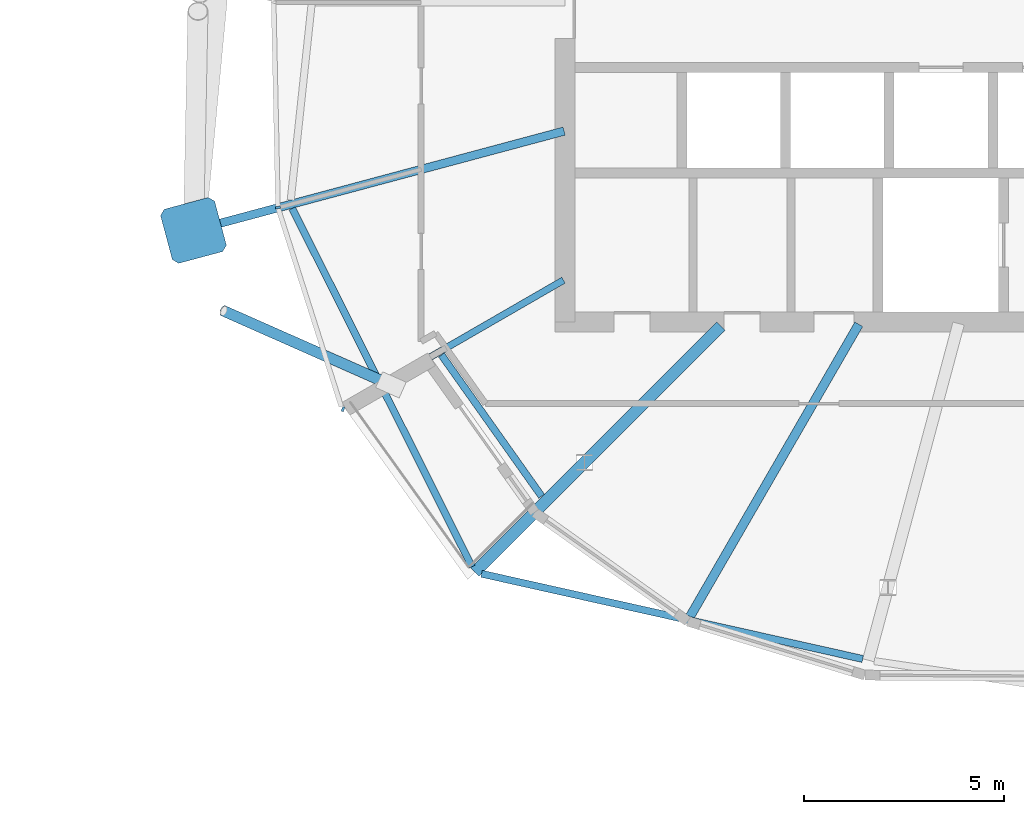
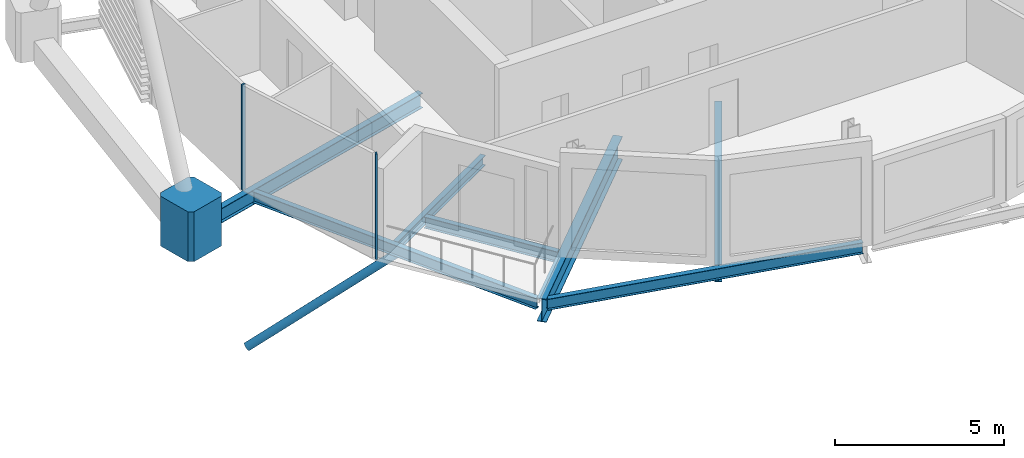
# One storey, part 10 of 32: 7 beams, 4 members, 1 element without a shape of its own.
"""IFC4 building model written with IfcOpenShell, lengths in metres."""

import ifcopenshell
import ifcopenshell.guid

model = None  # the IFC model being written
_history = None  # IfcOwnerHistory: only IFC2X3 demands one
_inside = {}  # id of a spatial element -> (the spatial element, [elements in it])
_under = {}  # id of a project, library or spatial element -> (it, [spatial elements below it])
_declared = {}  # id of a project -> (the project, [libraries it declares])
_typed = {}  # id of a type object -> (the type object, [elements of that type])
_made_of = {}  # id of a material, layer set ... -> (it, [elements and type objects made of it])


def new_model(schema):
    """Start an empty IFC model of exactly this schema.

    Asked for "IFC4X3", IfcOpenShell would pick the latest addendum, in which some entities
    have other attributes; the version numbers below select the first issue.
    IFC2X3 requires an IfcOwnerHistory on every rooted entity: one is made here for all.
    """
    global model, _history
    if schema == "IFC4X3":
        model = ifcopenshell.file(schema_version=(4, 3, 0, 0))
    else:
        model = ifcopenshell.file(schema=schema)
    _inside.clear()
    _under.clear()
    _declared.clear()
    _typed.clear()
    _made_of.clear()
    _history = None
    if model.schema == "IFC2X3":
        org = make("IfcOrganization", Name="unknown")
        user = make(
            "IfcPersonAndOrganization",
            ThePerson=make("IfcPerson", FamilyName="unknown"),
            TheOrganization=org,
        )
        app = make(
            "IfcApplication",
            ApplicationDeveloper=org,
            Version="unknown",
            ApplicationFullName="unknown",
            ApplicationIdentifier="unknown",
        )
        _history = make(
            "IfcOwnerHistory",
            OwningUser=user,
            OwningApplication=app,
            ChangeAction="ADDED",
            CreationDate=0,
        )
    return model


def make(cls, **values):
    """One entity of the class cls with the attributes given. An attribute that is None is left unset."""
    return model.create_entity(
        cls, **{name: value for name, value in values.items() if value is not None}
    )


def rooted(cls, **values):
    """An entity with a GlobalId (a new one), such as an element, a storey or a relation."""
    return make(cls, GlobalId=ifcopenshell.guid.new(), OwnerHistory=_history, **values)


def si_unit(unit_type, name, prefix=None):
    """IfcSIUnit, for example si_unit("LENGTHUNIT", "METRE", prefix="MILLI")."""
    return make("IfcSIUnit", UnitType=unit_type, Prefix=prefix, Name=name)


def assignment(units):
    """IfcUnitAssignment: the units of a project."""
    return None if units is None else make("IfcUnitAssignment", Units=units)


def point(xyz):
    """IfcCartesianPoint."""
    return None if xyz is None else make("IfcCartesianPoint", Coordinates=xyz)


def direction(xyz):
    """IfcDirection."""
    return None if xyz is None else make("IfcDirection", DirectionRatios=xyz)


def frame(location, z_axis=None, x_axis=None):
    """IfcAxis2Placement3D, a coordinate frame: its origin and axes. An axis left out is left unset."""
    return make(
        "IfcAxis2Placement3D",
        Location=point(location),
        Axis=direction(z_axis),
        RefDirection=direction(x_axis),
    )


def frame_2d(location, x_axis=None):
    """IfcAxis2Placement2D, a coordinate frame in the plane: its origin and x axis."""
    return make(
        "IfcAxis2Placement2D", Location=point(location), RefDirection=direction(x_axis)
    )


def origin():
    """The frame at (0, 0, 0) with its axes left unset."""
    return frame((0.0, 0.0, 0.0))


def origin_2d():
    """The frame at (0, 0) in the plane with its x axis left unset."""
    return frame_2d((0.0, 0.0))


def place(relative_to, where):
    """IfcLocalPlacement: puts the frame where relative to a parent placement (None: the world)."""
    return make(
        "IfcLocalPlacement", PlacementRelTo=relative_to, RelativePlacement=where
    )


def context(
    kind, dimensions, precision=None, world=None, true_north=None, identifier=None
):
    """IfcGeometricRepresentationContext, for example the 3D "Model" context."""
    return make(
        "IfcGeometricRepresentationContext",
        ContextIdentifier=identifier,
        ContextType=kind,
        CoordinateSpaceDimension=dimensions,
        Precision=precision,
        WorldCoordinateSystem=world,
        TrueNorth=true_north,
    )


def subcontext(parent, identifier, kind, view, scale=None):
    """IfcGeometricRepresentationSubContext, for example "Body" below "Model"."""
    return make(
        "IfcGeometricRepresentationSubContext",
        ContextIdentifier=identifier,
        ContextType=kind,
        ParentContext=parent,
        TargetScale=scale,
        TargetView=view,
    )


def project(units=None, contexts=None):
    """IfcProject with its units and contexts."""
    return rooted(
        "IfcProject",
        Name="project",
        RepresentationContexts=contexts,
        UnitsInContext=assignment(units),
    )


def spatial(cls, under=None, at=None, **own):
    """A site, building, storey or space (cls), placed at a placement, below another one or the project."""
    s = rooted(cls, ObjectPlacement=at, **own)
    if under is not None:
        _under.setdefault(under.id(), (under, []))[1].append(s)
    return s


def polyline(points):
    """IfcPolyline through the points."""
    return make("IfcPolyline", Points=[point(p) for p in points])


def profile(cls, at=None, kind="AREA", **sizes):
    """A parametric profile (cls). Its sizes go by their IFC names, for example OverallWidth=200.0."""
    return make(cls, ProfileType=kind, Position=at, **sizes)


def rectangle(**sizes):
    """IfcRectangleProfileDef."""
    return profile("IfcRectangleProfileDef", **sizes)


def hollow_circle(**sizes):
    """IfcCircleHollowProfileDef."""
    return profile("IfcCircleHollowProfileDef", **sizes)


def i_section(**sizes):
    """IfcIShapeProfileDef."""
    return profile("IfcIShapeProfileDef", **sizes)


def outline(outer, holes=None, kind="AREA"):
    """IfcArbitraryClosedProfileDef: a profile drawn as a closed curve; with holes, ...WithVoids."""
    if holes is None:
        return make("IfcArbitraryClosedProfileDef", ProfileType=kind, OuterCurve=outer)
    return make(
        "IfcArbitraryProfileDefWithVoids",
        ProfileType=kind,
        OuterCurve=outer,
        InnerCurves=holes,
    )


def extrude(swept, where, along, depth):
    """IfcExtrudedAreaSolid: the profile swept, set in the frame where, extruded along a direction by depth."""
    return make(
        "IfcExtrudedAreaSolid",
        SweptArea=swept,
        Position=where,
        ExtrudedDirection=direction(along),
        Depth=depth,
    )


def clip(a, b, op="DIFFERENCE"):
    """IfcBooleanClippingResult: the solid a cut by the half space b."""
    return make(
        "IfcBooleanClippingResult", Operator=op, FirstOperand=a, SecondOperand=b
    )


def halfspace(plane, agree):
    """IfcHalfSpaceSolid: all space on one side of the plane z = 0 of the frame plane."""
    return make(
        "IfcHalfSpaceSolid",
        BaseSurface=make("IfcPlane", Position=plane),
        AgreementFlag=agree,
    )


def shape(context_of_items, identifier, shape_type, items):
    """IfcShapeRepresentation: the items that make up one representation, for example the "Body"."""
    return make(
        "IfcShapeRepresentation",
        ContextOfItems=context_of_items,
        RepresentationIdentifier=identifier,
        RepresentationType=shape_type,
        Items=items,
    )


def material(Name=None, Category=None):
    """IfcMaterial."""
    return make("IfcMaterial", Name=Name, Category=Category)


def material_profile(
    of_material, cross_section, Name=None, Category=None, Priority=None
):
    """IfcMaterialProfile: a cross section and its material."""
    return make(
        "IfcMaterialProfile",
        Name=Name,
        Material=of_material,
        Profile=cross_section,
        Priority=Priority,
        Category=Category,
    )


def profile_set(profiles, Name=None, composite=None):
    """IfcMaterialProfileSet."""
    return make(
        "IfcMaterialProfileSet",
        Name=Name,
        MaterialProfiles=profiles,
        CompositeProfile=composite,
    )


def made_of(thing, what):
    """Note that an element or type object is made of a material, layer set ...; save() writes the relation."""
    if what is not None:
        _made_of.setdefault(what.id(), (what, []))[1].append(thing)
    return thing


def type_object(cls, material=None, **own):
    """A type object (cls), such as IfcWallType, which elements share."""
    return made_of(rooted(cls, **own), material)


def element(
    cls,
    number,
    at=None,
    inside=None,
    cuts=None,
    type_object=None,
    material=None,
    context=None,
    identifier="Body",
    shape_type=None,
    held_by="IfcProductDefinitionShape",
    body=None,
    shapes=None,
    **own,
):
    """One element of the class cls, such as IfcWall. Its Tag is "e" and its number.

    at: its placement. inside: the storey or other place that contains it. cuts: it is an
    opening in that element (IfcRelVoidsElement). A single representation is given by context,
    identifier, shape_type and body (its items); several are given by shapes. held_by: the class
    of the entity that holds the representations. save() writes the other relations.
    """
    e = rooted(cls, Tag="e%d" % number, ObjectPlacement=at, **own)
    if body is not None:
        shapes = [shape(context, identifier, shape_type, body)]
    if shapes is not None:
        e.Representation = make(held_by, Representations=shapes)
    if inside is not None:
        _inside.setdefault(inside.id(), (inside, []))[1].append(e)
    if cuts is not None:
        rooted(
            "IfcRelVoidsElement", RelatingBuildingElement=cuts, RelatedOpeningElement=e
        )
    if type_object is not None:
        _typed.setdefault(type_object.id(), (type_object, []))[1].append(e)
    return made_of(e, material)


def aggregate(whole, parts):
    """IfcRelAggregates: a whole, such as a stair, and the parts it consists of."""
    return rooted("IfcRelAggregates", RelatingObject=whole, RelatedObjects=parts)


def save(model, path):
    """Write the relations noted so far, then the file.

    IfcRelAggregates (storeys below a building ...), IfcRelContainedInSpatialStructure (elements
    in a storey), IfcRelDefinesByType, IfcRelAssociatesMaterial and IfcRelDeclares: one each for
    every whole, place, type object, material and project.
    """
    for whole, parts in _under.values():
        aggregate(whole, parts)
    for where, things in _inside.values():
        rooted(
            "IfcRelContainedInSpatialStructure",
            RelatedElements=things,
            RelatingStructure=where,
        )
    for kind, things in _typed.values():
        rooted("IfcRelDefinesByType", RelatedObjects=things, RelatingType=kind)
    for what, things in _made_of.values():
        rooted("IfcRelAssociatesMaterial", RelatedObjects=things, RelatingMaterial=what)
    for by, libraries in _declared.values():
        rooted("IfcRelDeclares", RelatingContext=by, RelatedDefinitions=libraries)
    model.write(path)


model = new_model("IFC4")

# Units and contexts
model_context = context("Model", 3, precision=1e-05, world=origin(), true_north=direction((0.0, 1.0)))
body_context = subcontext(model_context, "Body", "Model", "MODEL_VIEW")
ifc_project = project(units=[si_unit("LENGTHUNIT", "METRE"), si_unit("AREAUNIT", "SQUARE_METRE"), si_unit("VOLUMEUNIT", "CUBIC_METRE"), si_unit("PLANEANGLEUNIT", "RADIAN"), si_unit("MASSUNIT", "GRAM", prefix="KILO")], contexts=[model_context])

# Site, building, storey
site_placement = place(None, origin())
site = spatial("IfcSite", under=ifc_project, at=site_placement, CompositionType="ELEMENT")
building_placement = place(site_placement, origin())
building = spatial("IfcBuilding", under=site, at=building_placement, Name="Rimbun Link Towers", CompositionType="ELEMENT")
storey_placement = place(building_placement, frame((0.0, 0.0, 233.300048828125)))
storey = spatial("IfcBuildingStorey", under=building, at=storey_placement, Name="L57", CompositionType="ELEMENT", Elevation=233.300048828125)

# Curtain wall, members
ifc_material_1 = material(Name="Aluminium 6063-T6 and low-iron glass", Category="aluminium")
curtain_wall_type = type_object("IfcCurtainWallType", Name="CW1-Z4 unitised vision wall (zone 4)", PredefinedType="NOTDEFINED", material=ifc_material_1)
curtain_wall_placement = place(storey_placement, origin())
curtain_wall = element("IfcCurtainWall", 1, at=curtain_wall_placement, inside=storey, type_object=curtain_wall_type, Name="CW1 L57 T2", PredefinedType="NOTDEFINED")
ifc_material_2 = material(Name="Aluminium 6063-T6", Category="aluminium")
ifc_material_profile_1 = material_profile(ifc_material_2, rectangle(XDim=0.1201171875, YDim=0.06005859375, at=origin_2d()), Name="MULLION 60X120")
ifc_profile_set_1 = profile_set([ifc_material_profile_1], Name="Aluminium 6063-T6")
member_type_1 = type_object("IfcMemberType", Name="CW1 mullion 60X120", PredefinedType="MULLION", material=ifc_profile_set_1)
member_1_placement = place(storey_placement, frame((12.560546875, -5.1357421875, 0.0), z_axis=(0.0, 0.0, 1.0), x_axis=(-0.98650195774, -0.163749465266, 0.0)))
member_1 = element("IfcMember", 2, at=member_1_placement, type_object=member_type_1, Name="CW1 mullion", PredefinedType="MULLION", context=body_context, shape_type="SweptSolid", body=[
    extrude(rectangle(XDim=0.1201171875, YDim=0.06005859375, at=origin_2d()), origin(), (0.0, 0.0, 1.0), 3.800048828125),
])
member_2_placement = place(storey_placement, frame((14.1884765625, -10.1826171875, 0.0), z_axis=(0.0, 0.0, 1.0), x_axis=(-0.361275452766, -0.93245913971, 0.0)))
member_2 = element("IfcMember", 3, at=member_2_placement, type_object=member_type_1, Name="CW1 mullion", PredefinedType="MULLION", context=body_context, shape_type="SweptSolid", body=[
    extrude(rectangle(XDim=0.1201171875, YDim=0.06005859375, at=origin_2d()), origin(), (0.0, 0.0, 1.0), 3.800048828125),
])
aggregate(curtain_wall, [member_1, member_2])

# Members
ifc_material_3 = material(Name="Cast steel G20Mn5+QT, Rp0.2 300 MPa", Category="steel")
ifc_material_profile_2 = material_profile(ifc_material_3, outline(polyline([(0.699951171875, -0.570068359375), (0.699951171875, 0.570068359375), (0.570068359375, 0.699951171875), (-0.570068359375, 0.699951171875), (-0.699951171875, 0.570068359375), (-0.699951171875, -0.570068359375), (-0.570068359375, -0.699951171875), (0.570068359375, -0.699951171875), (0.699951171875, -0.570068359375)])), Name="NODE 1400x1400")
ifc_profile_set_2 = profile_set([ifc_material_profile_2], Name="Cast steel G20Mn5+QT, Rp0.2 300 MPa")
member_type_2 = type_object("IfcMemberType", Name="Diagrid node cast 1400", PredefinedType="USERDEFINED", material=ifc_profile_set_2)
member_3_placement = place(storey_placement, frame((10.4462890625, -5.708251953125, -0.900146484375), z_axis=(0.0, 0.0, 1.0), x_axis=(-0.965925826289, -0.258819045103, 0.0)))
element("IfcMember", 4, at=member_3_placement, inside=storey, type_object=member_type_2, Name="Diagrid node L57 10", ObjectType="Diagrid node", PredefinedType="USERDEFINED", context=body_context, shape_type="SweptSolid", body=[
    extrude(outline(polyline([(0.699951171875, -0.570068359375), (0.699951171875, 0.570068359375), (0.570068359375, 0.699951171875), (-0.570068359375, 0.699951171875), (-0.699951171875, 0.570068359375), (-0.699951171875, -0.570068359375), (-0.570068359375, -0.699951171875), (0.570068359375, -0.699951171875), (0.699951171875, -0.570068359375)])), origin(), (0.0, 0.0, 1.0), 1.800048828125),
])
ifc_material_4 = material(Name="Steel S355J2H", Category="steel")
ifc_material_profile_3 = material_profile(ifc_material_4, hollow_circle(Radius=0.136474609375, WallThickness=0.012451171875, at=origin_2d()), Name="CHS 273x12.5")
ifc_profile_set_3 = profile_set([ifc_material_profile_3], Name="Steel S355J2H")
member_type_3 = type_object("IfcMemberType", Name="Floor edge link CHS 273x12.5", PredefinedType="BRACE", material=ifc_profile_set_3)
member_4_placement = place(storey_placement, frame((15.262451171875, -9.51904296875, -0.608642578125), z_axis=(-0.75534004641, 0.334095327422, -0.56377453515), x_axis=(-0.404508662431, -0.914534166676, 0.0)))
element("IfcMember", 5, at=member_4_placement, inside=storey, type_object=member_type_3, Name="Floor edge link T2 L57 11", PredefinedType="BRACE", context=body_context, shape_type="Clipping", body=[
    clip(extrude(hollow_circle(Radius=0.136474609375, WallThickness=0.012451171875, at=origin_2d()), frame((0.0, 0.0, -0.417724609375)), (0.0, 0.0, 1.0), 5.8046875), halfspace(frame((0.0, 0.0, -0.197998046875), z_axis=(0.0, 0.825928733921, -0.56377453515)), False)),
])

# Beams
ifc_material_5 = material(Name="Steel S355J2", Category="steel")
ifc_material_profile_4 = material_profile(ifc_material_5, i_section(OverallWidth=0.17138671875, OverallDepth=0.35498046875, WebThickness=0.00732421875, FlangeThickness=0.011474609375, at=origin_2d()), Name="UB 356x171x51")
ifc_profile_set_4 = profile_set([ifc_material_profile_4], Name="Steel S355J2")
beam_type_1 = type_object("IfcBeamType", Name="UB 356x171x51", PredefinedType="BEAM", material=ifc_profile_set_4)
beam_1_placement = place(storey_placement, frame((19.706298828125, -6.95361328125, -0.317626953125), z_axis=(-0.866039643623, -0.499975335065, 0.0), x_axis=(0.499975335065, -0.866039643623, 0.0)))
element("IfcBeam", 6, at=beam_1_placement, inside=storey, type_object=beam_type_1, Name="Radial beam T2 L57 11", PredefinedType="BEAM", context=body_context, shape_type="SweptSolid", body=[
    extrude(i_section(OverallWidth=0.17138671875, OverallDepth=0.35498046875, WebThickness=0.00732421875, FlangeThickness=0.011474609375, at=origin_2d()), origin(), (0.0, 0.0, 1.0), 5.181396484375),
])
ifc_material_6 = material(Name="Steel S355J2", Category="steel")
ifc_material_profile_5 = material_profile(ifc_material_6, i_section(OverallWidth=0.177978515625, OverallDepth=0.406494140625, WebThickness=0.0078125, FlangeThickness=0.0126953125, at=origin_2d()), Name="UB 406x178x60")
ifc_profile_set_5 = profile_set([ifc_material_profile_5], Name="Steel S355J2")
beam_type_2 = type_object("IfcBeamType", Name="UB 406x178x60", PredefinedType="BEAM", material=ifc_profile_set_5)
beam_2_placement = place(storey_placement, frame((12.916748046875, -5.15576171875, -0.34326171875), z_axis=(0.44843937666, -0.893813249768, 0.0), x_axis=(0.893813249768, 0.44843937666, 0.0)))
element("IfcBeam", 7, at=beam_2_placement, inside=storey, type_object=beam_type_2, Name="Edge beam T2 L57 10-12", PredefinedType="BEAM", context=body_context, shape_type="SweptSolid", body=[
    extrude(i_section(OverallWidth=0.177978515625, OverallDepth=0.406494140625, WebThickness=0.0078125, FlangeThickness=0.0126953125, at=origin_2d()), origin(), (0.0, 0.0, 1.0), 10.034912109375),
])
beam_3_placement = place(storey_placement, frame((16.652587890625, -8.826171875, -0.34326171875), z_axis=(0.578378341038, -0.815768652632, 0.0), x_axis=(0.815768652632, 0.578378341038, 0.0)))
element("IfcBeam", 8, at=beam_3_placement, inside=storey, type_object=beam_type_2, Name="Edge beam T2 L57 11 recess", PredefinedType="BEAM", context=body_context, shape_type="SweptSolid", body=[
    extrude(i_section(OverallWidth=0.177978515625, OverallDepth=0.406494140625, WebThickness=0.0078125, FlangeThickness=0.0126953125, at=origin_2d()), origin(), (0.0, 0.0, 1.0), 4.333740234375),
])
beam_4_placement = place(storey_placement, frame((17.65625, -14.301513671875, -0.34326171875), z_axis=(0.975914151255, -0.218154920596, 0.0), x_axis=(0.218154920596, 0.975914151255, 0.0)))
element("IfcBeam", 9, at=beam_4_placement, inside=storey, type_object=beam_type_2, Name="Edge beam T2 L57 12-14", PredefinedType="BEAM", context=body_context, shape_type="SweptSolid", body=[
    extrude(i_section(OverallWidth=0.177978515625, OverallDepth=0.406494140625, WebThickness=0.0078125, FlangeThickness=0.0126953125, at=origin_2d()), origin(), (0.0, 0.0, 1.0), 9.773193359375),
])
ifc_material_7 = material(Name="Steel S355J2", Category="steel")
ifc_material_profile_6 = material_profile(ifc_material_7, i_section(OverallWidth=0.209228515625, OverallDepth=0.533203125, WebThickness=0.010009765625, FlangeThickness=0.015625, at=origin_2d()), Name="UB 533x210x92")
ifc_profile_set_6 = profile_set([ifc_material_profile_6], Name="Steel S355J2")
beam_type_3 = type_object("IfcBeamType", Name="UB 533x210x92", PredefinedType="BEAM", material=ifc_profile_set_6)
beam_5_placement = place(storey_placement, frame((19.721923828125, -3.222900390625, -0.406494140625), z_axis=(-0.965925304731, -0.258820991577, 0.0), x_axis=(0.258820991577, -0.965925304731, 0.0)))
element("IfcBeam", 10, at=beam_5_placement, inside=storey, type_object=beam_type_3, Name="Radial beam T2 L57 10", PredefinedType="BEAM", context=body_context, shape_type="SweptSolid", body=[
    extrude(i_section(OverallWidth=0.209228515625, OverallDepth=0.533203125, WebThickness=0.010009765625, FlangeThickness=0.015625, at=origin_2d()), origin(), (0.0, 0.0, 1.0), 9.1025390625),
])
ifc_material_8 = material(Name="Steel S355J2", Category="steel")
ifc_material_profile_7 = material_profile(ifc_material_8, i_section(OverallWidth=0.2275390625, OverallDepth=0.6025390625, WebThickness=0.010498046875, FlangeThickness=0.014892578125, at=origin_2d()), Name="UB 610x229x101")
ifc_profile_set_7 = profile_set([ifc_material_profile_7], Name="Steel S355J2")
beam_type_4 = type_object("IfcBeamType", Name="UB 610x229x101", PredefinedType="BEAM", material=ifc_profile_set_7)
beam_6_placement = place(storey_placement, frame((27.097900390625, -8.057861328125, -0.44140625), z_axis=(-0.50002341147, -0.866011886744, 0.0), x_axis=(0.866011886744, -0.50002341147, 0.0)))
element("IfcBeam", 11, at=beam_6_placement, inside=storey, type_object=beam_type_4, Name="Radial beam T2 L57 13", PredefinedType="BEAM", context=body_context, shape_type="SweptSolid", body=[
    extrude(i_section(OverallWidth=0.2275390625, OverallDepth=0.6025390625, WebThickness=0.010498046875, FlangeThickness=0.014892578125, at=origin_2d()), origin(), (0.0, 0.0, 1.0), 8.44970703125),
])
ifc_material_9 = material(Name="Steel S355J2", Category="steel")
ifc_material_profile_8 = material_profile(ifc_material_9, i_section(OverallWidth=0.29248046875, OverallDepth=0.8408203125, WebThickness=0.0126953125, FlangeThickness=0.021728515625, at=origin_2d()), Name="UB 838x292x194")
ifc_profile_set_8 = profile_set([ifc_material_profile_8], Name="Steel S355J2")
beam_type_5 = type_object("IfcBeamType", Name="UB 838x292x194", PredefinedType="BEAM", material=ifc_profile_set_8)
beam_7_placement = place(storey_placement, frame((23.64599609375, -8.10400390625, -0.560302734375), z_axis=(-0.707106781187, -0.707106781187, 0.0), x_axis=(0.707106781187, -0.707106781187, 0.0)))
element("IfcBeam", 12, at=beam_7_placement, inside=storey, type_object=beam_type_5, Name="Radial beam T2 L57 12", PredefinedType="BEAM", context=body_context, shape_type="SweptSolid", body=[
    extrude(i_section(OverallWidth=0.29248046875, OverallDepth=0.8408203125, WebThickness=0.0126953125, FlangeThickness=0.021728515625, at=origin_2d()), origin(), (0.0, 0.0, 1.0), 8.711181640625),
])

save(model, "model.ifc")
